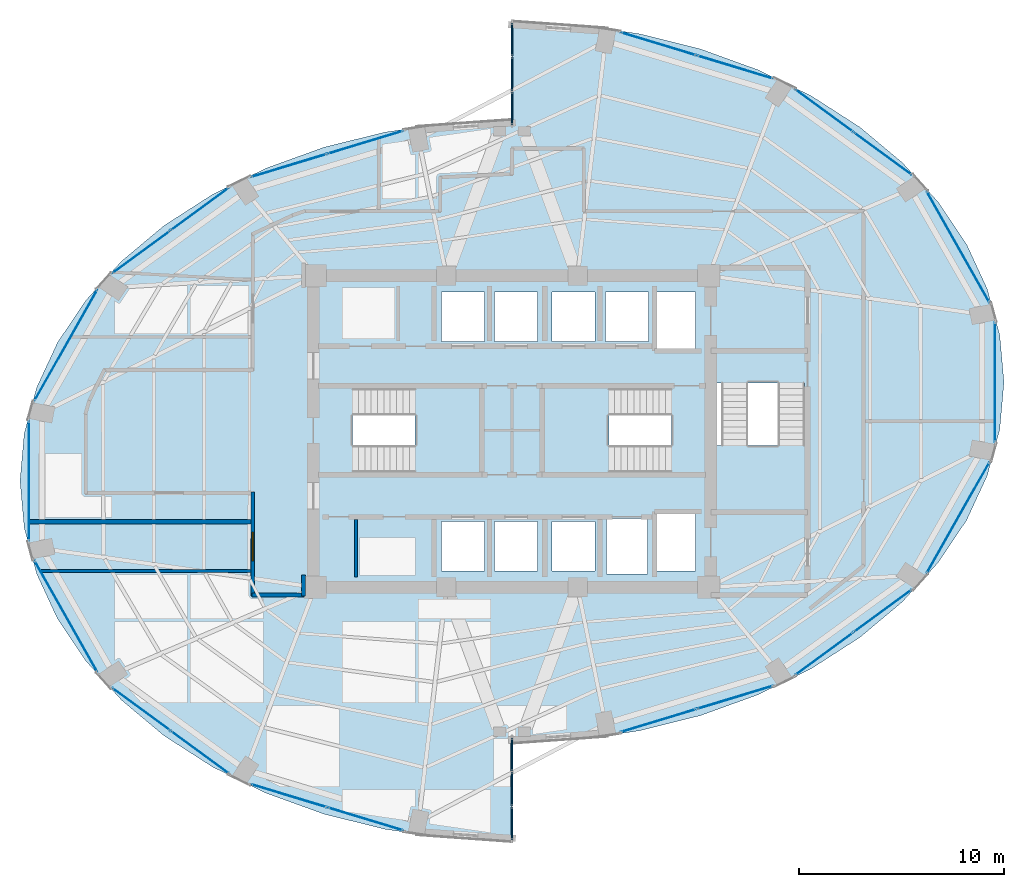
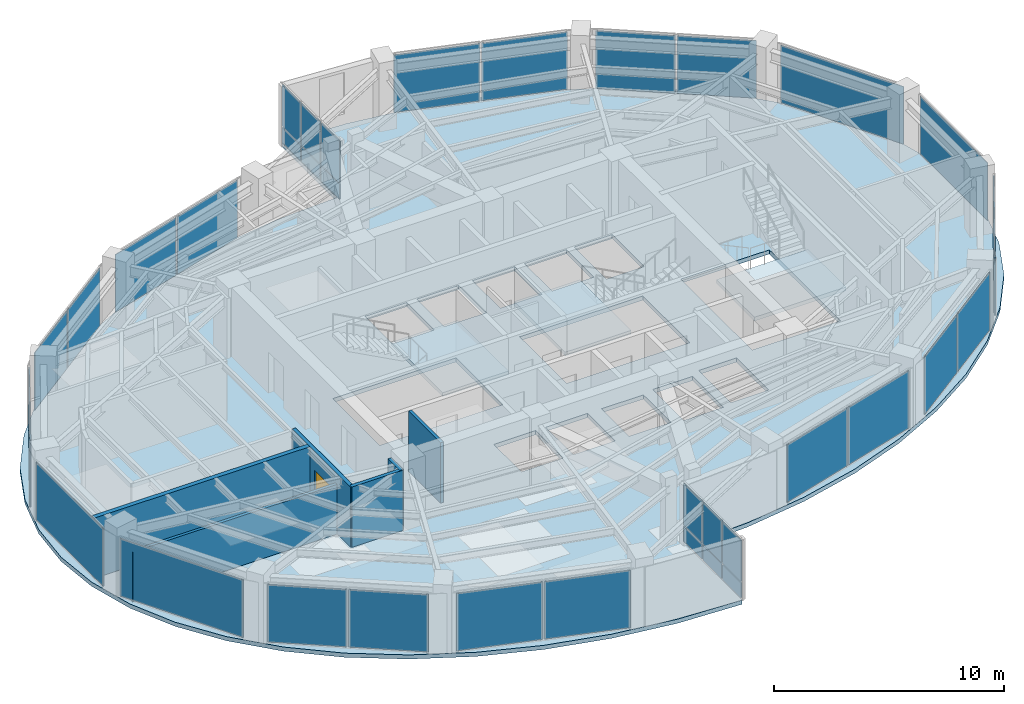
# One storey, part 15 of 20: 34 plates, 6 walls, 4 slabs, 1 door, 1 opening, 19 elements without a shape of their own.
"""IFC4 building model written with IfcOpenShell, lengths in metres."""

from ifc_helpers import new_model, si_unit, direction, frame, frame_2d, origin, origin_2d, place, context, subcontext, project, spatial, polyline, rectangle, outline, extrude, material, layer, layer_set, type_object, element, fill, aggregate, save


model = new_model("IFC4")

# Units and contexts
model_context = context("Model", 3, precision=1e-05, world=origin(), true_north=direction((0.0, 1.0)))
body_context = subcontext(model_context, "Body", "Model", "MODEL_VIEW")
ifc_project = project(units=[si_unit("LENGTHUNIT", "METRE"), si_unit("AREAUNIT", "SQUARE_METRE"), si_unit("VOLUMEUNIT", "CUBIC_METRE"), si_unit("PLANEANGLEUNIT", "RADIAN"), si_unit("MASSUNIT", "GRAM", prefix="KILO")], contexts=[model_context])

# Site, building, storey
site_placement = place(None, origin())
site = spatial("IfcSite", under=ifc_project, at=site_placement, CompositionType="ELEMENT")
building_placement = place(site_placement, origin())
building = spatial("IfcBuilding", under=site, at=building_placement, Name="Lazwardi Medical Tower", CompositionType="ELEMENT")
storey_placement = place(building_placement, frame((0.0, 0.0, 185.7119140625)))
storey = spatial("IfcBuildingStorey", under=building, at=storey_placement, Name="L48", CompositionType="ELEMENT", Elevation=185.7119140625)

# Curtain wall, plates
ifc_material_1 = material(Name="Anodised bronze aluminium and solar control glazing", Category="aluminium")
ifc_layer_1 = layer(ifc_material_1, 0.195068359375)
ifc_layer_set_1 = layer_set([ifc_layer_1], Name="Anodised bronze aluminium and solar control glazing")
curtain_wall_type_1 = type_object("IfcCurtainWallType", Name="CW-SYS-03", PredefinedType="NOTDEFINED", material=ifc_layer_set_1)
curtain_wall_1_placement = place(storey_placement, origin())
curtain_wall_1 = element("IfcCurtainWall", 1, at=curtain_wall_1_placement, inside=storey, type_object=curtain_wall_type_1, Name="L48 Unitised bronze curtain wall CW-03", PredefinedType="NOTDEFINED")
ifc_material_2 = material(Name="Low-e bronze solar control double glazing", Category="glass")
ifc_layer_2 = layer(ifc_material_2, 0.035888671875)
ifc_layer_set_2 = layer_set([ifc_layer_2], Name="Low-e bronze solar control double glazing")
plate_type_1 = type_object("IfcPlateType", Name="PLT-GLZ-01", PredefinedType="CURTAIN_PANEL", material=ifc_layer_set_2)
plate_1_placement = place(storey_placement, frame((43.1435546875, 13.8935546875, 0.0751953125), z_axis=(0.0, 0.0, 1.0), x_axis=(0.956941516292, 0.290280785441, 0.0)))
plate_1 = element("IfcPlate", 2, at=plate_1_placement, type_object=plate_type_1, Name="CW-03 panel 1.1", PredefinedType="CURTAIN_PANEL", context=body_context, shape_type="SweptSolid", body=[
    extrude(rectangle(XDim=3.83642578125, YDim=0.035888671875, at=origin_2d()), origin(), (0.0, 0.0, 1.0), 3.048095703125),
])
plate_2_placement = place(storey_placement, frame((46.88671875, 15.029052734375, 0.0751953125), z_axis=(0.0, 0.0, 1.0), x_axis=(0.956941516292, 0.290280785441, 0.0)))
plate_2 = element("IfcPlate", 3, at=plate_2_placement, type_object=plate_type_1, Name="CW-03 panel 2.1", PredefinedType="CURTAIN_PANEL", context=body_context, shape_type="SweptSolid", body=[
    extrude(rectangle(XDim=3.83642578125, YDim=0.035888671875, at=origin_2d()), origin(), (0.0, 0.0, 1.0), 3.048095703125),
])
aggregate(curtain_wall_1, [plate_1, plate_2])

curtain_wall_2_placement = place(storey_placement, origin())
curtain_wall_2 = element("IfcCurtainWall", 4, at=curtain_wall_2_placement, inside=storey, type_object=curtain_wall_type_1, Name="L48 Unitised bronze curtain wall CW-03", PredefinedType="NOTDEFINED")
plate_3_placement = place(storey_placement, frame((51.2265625, 17.153076171875, 0.0751953125), z_axis=(0.0, 0.0, 1.0), x_axis=(0.806793249082, 0.590833862635, 0.0)))
plate_3 = element("IfcPlate", 5, at=plate_3_placement, type_object=plate_type_1, Name="CW-03 panel 1.1", PredefinedType="CURTAIN_PANEL", context=body_context, shape_type="SweptSolid", body=[
    extrude(rectangle(XDim=3.472412109375, YDim=0.035888671875, at=origin_2d()), origin(), (0.0, 0.0, 1.0), 3.048095703125),
])
plate_4_placement = place(storey_placement, frame((54.088623046875, 19.2490234375, 0.0751953125), z_axis=(0.0, 0.0, 1.0), x_axis=(0.806793249082, 0.590833862635, 0.0)))
plate_4 = element("IfcPlate", 6, at=plate_4_placement, type_object=plate_type_1, Name="CW-03 panel 2.1", PredefinedType="CURTAIN_PANEL", context=body_context, shape_type="SweptSolid", body=[
    extrude(rectangle(XDim=3.472412109375, YDim=0.035888671875, at=origin_2d()), origin(), (0.0, 0.0, 1.0), 3.048095703125),
])
aggregate(curtain_wall_2, [plate_3, plate_4])

# Curtain wall, plate
curtain_wall_3_placement = place(storey_placement, origin())
curtain_wall_3 = element("IfcCurtainWall", 7, at=curtain_wall_3_placement, inside=storey, type_object=curtain_wall_type_1, Name="L48 Unitised bronze curtain wall CW-03", PredefinedType="NOTDEFINED")
plate_5_placement = place(storey_placement, frame((57.764404296875, 23.798095703125, 0.0751953125), z_axis=(0.0, 0.0, 1.0), x_axis=(0.492311672683, 0.870418989303, 0.0)))
plate_5 = element("IfcPlate", 8, at=plate_5_placement, type_object=plate_type_1, Name="CW-03 panel 1.1", PredefinedType="CURTAIN_PANEL", context=body_context, shape_type="SweptSolid", body=[
    extrude(rectangle(XDim=6.208740234375, YDim=0.035888671875, at=origin_2d()), origin(), (0.0, 0.0, 1.0), 3.048095703125),
])
aggregate(curtain_wall_3, [plate_5])

curtain_wall_4_placement = place(storey_placement, origin())
curtain_wall_4 = element("IfcCurtainWall", 9, at=curtain_wall_4_placement, inside=storey, type_object=curtain_wall_type_1, Name="L48 Unitised bronze curtain wall CW-03", PredefinedType="NOTDEFINED")
plate_6_placement = place(storey_placement, frame((59.5576171875, 30.39990234375, 0.0751953125), z_axis=(0.0, 0.0, 1.0), x_axis=(0.0, 1.0, 0.0)))
plate_6 = element("IfcPlate", 10, at=plate_6_placement, type_object=plate_type_1, Name="CW-03 panel 1.1", PredefinedType="CURTAIN_PANEL", context=body_context, shape_type="SweptSolid", body=[
    extrude(rectangle(XDim=5.8408203125, YDim=0.035888671875, at=origin_2d()), origin(), (0.0, 0.0, 1.0), 3.048095703125),
])
aggregate(curtain_wall_4, [plate_6])

curtain_wall_5_placement = place(storey_placement, origin())
curtain_wall_5 = element("IfcCurtainWall", 11, at=curtain_wall_5_placement, inside=storey, type_object=curtain_wall_type_1, Name="L48 Unitised bronze curtain wall CW-03", PredefinedType="NOTDEFINED")
plate_7_placement = place(storey_placement, frame((57.764404296875, 37.001953125, 0.0751953125), z_axis=(0.0, 0.0, 1.0), x_axis=(-0.492311672683, 0.870418989303, 0.0)))
plate_7 = element("IfcPlate", 12, at=plate_7_placement, type_object=plate_type_1, Name="CW-03 panel 1.1", PredefinedType="CURTAIN_PANEL", context=body_context, shape_type="SweptSolid", body=[
    extrude(rectangle(XDim=6.208740234375, YDim=0.035888671875, at=origin_2d()), origin(), (0.0, 0.0, 1.0), 3.048095703125),
])
aggregate(curtain_wall_5, [plate_7])

# Curtain wall, plates
curtain_wall_6_placement = place(storey_placement, origin())
curtain_wall_6 = element("IfcCurtainWall", 13, at=curtain_wall_6_placement, inside=storey, type_object=curtain_wall_type_1, Name="L48 Unitised bronze curtain wall CW-03", PredefinedType="NOTDEFINED")
plate_8_placement = place(storey_placement, frame((54.088623046875, 41.551025390625, 0.0751953125), z_axis=(0.0, 0.0, 1.0), x_axis=(-0.806793249082, 0.590833862635, 0.0)))
plate_8 = element("IfcPlate", 14, at=plate_8_placement, type_object=plate_type_1, Name="CW-03 panel 1.1", PredefinedType="CURTAIN_PANEL", context=body_context, shape_type="SweptSolid", body=[
    extrude(rectangle(XDim=3.472412109375, YDim=0.035888671875, at=origin_2d()), origin(), (0.0, 0.0, 1.0), 3.048095703125),
])
plate_9_placement = place(storey_placement, frame((51.2265625, 43.64697265625, 0.0751953125), z_axis=(0.0, 0.0, 1.0), x_axis=(-0.806793249082, 0.590833862635, 0.0)))
plate_9 = element("IfcPlate", 15, at=plate_9_placement, type_object=plate_type_1, Name="CW-03 panel 2.1", PredefinedType="CURTAIN_PANEL", context=body_context, shape_type="SweptSolid", body=[
    extrude(rectangle(XDim=3.472412109375, YDim=0.035888671875, at=origin_2d()), origin(), (0.0, 0.0, 1.0), 3.048095703125),
])
aggregate(curtain_wall_6, [plate_8, plate_9])

curtain_wall_7_placement = place(storey_placement, origin())
curtain_wall_7 = element("IfcCurtainWall", 16, at=curtain_wall_7_placement, inside=storey, type_object=curtain_wall_type_1, Name="L48 Unitised bronze curtain wall CW-03", PredefinedType="NOTDEFINED")
plate_10_placement = place(storey_placement, frame((46.88671875, 45.77099609375, 0.0751953125), z_axis=(0.0, 0.0, 1.0), x_axis=(-0.956941516292, 0.290280785441, 0.0)))
plate_10 = element("IfcPlate", 17, at=plate_10_placement, type_object=plate_type_1, Name="CW-03 panel 1.1", PredefinedType="CURTAIN_PANEL", context=body_context, shape_type="SweptSolid", body=[
    extrude(rectangle(XDim=3.83642578125, YDim=0.035888671875, at=origin_2d()), origin(), (0.0, 0.0, 1.0), 3.048095703125),
])
plate_11_placement = place(storey_placement, frame((43.1435546875, 46.906494140625, 0.0751953125), z_axis=(0.0, 0.0, 1.0), x_axis=(-0.956941516292, 0.290280785441, 0.0)))
plate_11 = element("IfcPlate", 18, at=plate_11_placement, type_object=plate_type_1, Name="CW-03 panel 2.1", PredefinedType="CURTAIN_PANEL", context=body_context, shape_type="SweptSolid", body=[
    extrude(rectangle(XDim=3.83642578125, YDim=0.035888671875, at=origin_2d()), origin(), (0.0, 0.0, 1.0), 3.048095703125),
])
aggregate(curtain_wall_7, [plate_10, plate_11])

curtain_wall_8_placement = place(storey_placement, origin())
curtain_wall_8 = element("IfcCurtainWall", 19, at=curtain_wall_8_placement, inside=storey, type_object=curtain_wall_type_1, Name="L48 Unitised bronze curtain wall CW-03", PredefinedType="NOTDEFINED")
plate_12_placement = place(storey_placement, frame((28.8564453125, 42.1064453125, 0.0751953125), z_axis=(0.0, 0.0, 1.0), x_axis=(-0.956941516292, -0.290280785441, 0.0)))
plate_12 = element("IfcPlate", 20, at=plate_12_placement, type_object=plate_type_1, Name="CW-03 panel 1.1", PredefinedType="CURTAIN_PANEL", context=body_context, shape_type="SweptSolid", body=[
    extrude(rectangle(XDim=3.83642578125, YDim=0.035888671875, at=origin_2d()), origin(), (0.0, 0.0, 1.0), 3.048095703125),
])
plate_13_placement = place(storey_placement, frame((25.11328125, 40.970947265625, 0.0751953125), z_axis=(0.0, 0.0, 1.0), x_axis=(-0.956941516292, -0.290280785441, 0.0)))
plate_13 = element("IfcPlate", 21, at=plate_13_placement, type_object=plate_type_1, Name="CW-03 panel 2.1", PredefinedType="CURTAIN_PANEL", context=body_context, shape_type="SweptSolid", body=[
    extrude(rectangle(XDim=3.83642578125, YDim=0.035888671875, at=origin_2d()), origin(), (0.0, 0.0, 1.0), 3.048095703125),
])
aggregate(curtain_wall_8, [plate_12, plate_13])

curtain_wall_9_placement = place(storey_placement, origin())
curtain_wall_9 = element("IfcCurtainWall", 22, at=curtain_wall_9_placement, inside=storey, type_object=curtain_wall_type_1, Name="L48 Unitised bronze curtain wall CW-03", PredefinedType="NOTDEFINED")
plate_14_placement = place(storey_placement, frame((20.7734375, 38.846923828125, 0.0751953125), z_axis=(0.0, 0.0, 1.0), x_axis=(-0.806793249082, -0.590833862635, 0.0)))
plate_14 = element("IfcPlate", 23, at=plate_14_placement, type_object=plate_type_1, Name="CW-03 panel 1.1", PredefinedType="CURTAIN_PANEL", context=body_context, shape_type="SweptSolid", body=[
    extrude(rectangle(XDim=3.472412109375, YDim=0.035888671875, at=origin_2d()), origin(), (0.0, 0.0, 1.0), 3.048095703125),
])
plate_15_placement = place(storey_placement, frame((17.911376953125, 36.7509765625, 0.0751953125), z_axis=(0.0, 0.0, 1.0), x_axis=(-0.806793249082, -0.590833862635, 0.0)))
plate_15 = element("IfcPlate", 24, at=plate_15_placement, type_object=plate_type_1, Name="CW-03 panel 2.1", PredefinedType="CURTAIN_PANEL", context=body_context, shape_type="SweptSolid", body=[
    extrude(rectangle(XDim=3.472412109375, YDim=0.035888671875, at=origin_2d()), origin(), (0.0, 0.0, 1.0), 3.048095703125),
])
aggregate(curtain_wall_9, [plate_14, plate_15])

# Curtain wall, plate
curtain_wall_10_placement = place(storey_placement, origin())
curtain_wall_10 = element("IfcCurtainWall", 25, at=curtain_wall_10_placement, inside=storey, type_object=curtain_wall_type_1, Name="L48 Unitised bronze curtain wall CW-03", PredefinedType="NOTDEFINED")
plate_16_placement = place(storey_placement, frame((14.235595703125, 32.201904296875, 0.0751953125), z_axis=(0.0, 0.0, 1.0), x_axis=(-0.492311672683, -0.870418989303, 0.0)))
plate_16 = element("IfcPlate", 26, at=plate_16_placement, type_object=plate_type_1, Name="CW-03 panel 1.1", PredefinedType="CURTAIN_PANEL", context=body_context, shape_type="SweptSolid", body=[
    extrude(rectangle(XDim=6.208740234375, YDim=0.035888671875, at=origin_2d()), origin(), (0.0, 0.0, 1.0), 3.048095703125),
])
aggregate(curtain_wall_10, [plate_16])

curtain_wall_11_placement = place(storey_placement, origin())
curtain_wall_11 = element("IfcCurtainWall", 27, at=curtain_wall_11_placement, inside=storey, type_object=curtain_wall_type_1, Name="L48 Unitised bronze curtain wall CW-03", PredefinedType="NOTDEFINED")
plate_17_placement = place(storey_placement, frame((12.4423828125, 25.60009765625, 0.0751953125), z_axis=(0.0, 0.0, 1.0), x_axis=(0.0, -1.0, 0.0)))
plate_17 = element("IfcPlate", 28, at=plate_17_placement, type_object=plate_type_1, Name="CW-03 panel 1.1", PredefinedType="CURTAIN_PANEL", context=body_context, shape_type="SweptSolid", body=[
    extrude(rectangle(XDim=5.8408203125, YDim=0.035888671875, at=origin_2d()), origin(), (0.0, 0.0, 1.0), 3.048095703125),
])
aggregate(curtain_wall_11, [plate_17])

curtain_wall_12_placement = place(storey_placement, origin())
curtain_wall_12 = element("IfcCurtainWall", 29, at=curtain_wall_12_placement, inside=storey, type_object=curtain_wall_type_1, Name="L48 Unitised bronze curtain wall CW-03", PredefinedType="NOTDEFINED")
plate_18_placement = place(storey_placement, frame((14.235595703125, 18.998046875, 0.0751953125), z_axis=(0.0, 0.0, 1.0), x_axis=(0.492311672683, -0.870418989303, 0.0)))
plate_18 = element("IfcPlate", 30, at=plate_18_placement, type_object=plate_type_1, Name="CW-03 panel 1.1", PredefinedType="CURTAIN_PANEL", context=body_context, shape_type="SweptSolid", body=[
    extrude(rectangle(XDim=6.208740234375, YDim=0.035888671875, at=origin_2d()), origin(), (0.0, 0.0, 1.0), 3.048095703125),
])
aggregate(curtain_wall_12, [plate_18])

# Curtain wall, plates
curtain_wall_13_placement = place(storey_placement, origin())
curtain_wall_13 = element("IfcCurtainWall", 31, at=curtain_wall_13_placement, inside=storey, type_object=curtain_wall_type_1, Name="L48 Unitised bronze curtain wall CW-03", PredefinedType="NOTDEFINED")
plate_19_placement = place(storey_placement, frame((17.911376953125, 14.448974609375, 0.0751953125), z_axis=(0.0, 0.0, 1.0), x_axis=(0.806793249082, -0.590833862635, 0.0)))
plate_19 = element("IfcPlate", 32, at=plate_19_placement, type_object=plate_type_1, Name="CW-03 panel 1.1", PredefinedType="CURTAIN_PANEL", context=body_context, shape_type="SweptSolid", body=[
    extrude(rectangle(XDim=3.472412109375, YDim=0.035888671875, at=origin_2d()), origin(), (0.0, 0.0, 1.0), 3.048095703125),
])
plate_20_placement = place(storey_placement, frame((20.7734375, 12.35302734375, 0.0751953125), z_axis=(0.0, 0.0, 1.0), x_axis=(0.806793249082, -0.590833862635, 0.0)))
plate_20 = element("IfcPlate", 33, at=plate_20_placement, type_object=plate_type_1, Name="CW-03 panel 2.1", PredefinedType="CURTAIN_PANEL", context=body_context, shape_type="SweptSolid", body=[
    extrude(rectangle(XDim=3.472412109375, YDim=0.035888671875, at=origin_2d()), origin(), (0.0, 0.0, 1.0), 3.048095703125),
])
aggregate(curtain_wall_13, [plate_19, plate_20])

curtain_wall_14_placement = place(storey_placement, origin())
curtain_wall_14 = element("IfcCurtainWall", 34, at=curtain_wall_14_placement, inside=storey, type_object=curtain_wall_type_1, Name="L48 Unitised bronze curtain wall CW-03", PredefinedType="NOTDEFINED")
plate_21_placement = place(storey_placement, frame((25.11328125, 10.22900390625, 0.0751953125), z_axis=(0.0, 0.0, 1.0), x_axis=(0.956941516292, -0.290280785441, 0.0)))
plate_21 = element("IfcPlate", 35, at=plate_21_placement, type_object=plate_type_1, Name="CW-03 panel 1.1", PredefinedType="CURTAIN_PANEL", context=body_context, shape_type="SweptSolid", body=[
    extrude(rectangle(XDim=3.83642578125, YDim=0.035888671875, at=origin_2d()), origin(), (0.0, 0.0, 1.0), 3.048095703125),
])
plate_22_placement = place(storey_placement, frame((28.8564453125, 9.093505859375, 0.0751953125), z_axis=(0.0, 0.0, 1.0), x_axis=(0.956941516292, -0.290280785441, 0.0)))
plate_22 = element("IfcPlate", 36, at=plate_22_placement, type_object=plate_type_1, Name="CW-03 panel 2.1", PredefinedType="CURTAIN_PANEL", context=body_context, shape_type="SweptSolid", body=[
    extrude(rectangle(XDim=3.83642578125, YDim=0.035888671875, at=origin_2d()), origin(), (0.0, 0.0, 1.0), 3.048095703125),
])
aggregate(curtain_wall_14, [plate_21, plate_22])

ifc_layer_3 = layer(ifc_material_1, 0.2099609375)
ifc_layer_set_3 = layer_set([ifc_layer_3], Name="Anodised bronze aluminium and solar control glazing")
curtain_wall_type_2 = type_object("IfcCurtainWallType", Name="CW-SYS-06", PredefinedType="NOTDEFINED", material=ifc_layer_set_3)
curtain_wall_15_placement = place(storey_placement, origin())
curtain_wall_15 = element("IfcCurtainWall", 37, at=curtain_wall_15_placement, inside=storey, type_object=curtain_wall_type_2, Name="L48 Unitised bronze curtain wall CW-06", PredefinedType="NOTDEFINED")
ifc_material_3 = material(Name="Turquoise glazed ceramic insulated panel", Category="glass")
ifc_layer_4 = layer(ifc_material_3, 0.053955078125)
ifc_layer_set_4 = layer_set([ifc_layer_4], Name="Turquoise glazed ceramic insulated panel")
plate_type_2 = type_object("IfcPlateType", Name="PLT-TRQ-01", PredefinedType="CURTAIN_PANEL", material=ifc_layer_set_4)
plate_23_placement = place(storey_placement, frame((36.0, 47.1279296875, 0.074951171875), z_axis=(0.0, 0.0, 1.0), x_axis=(0.0, -1.0, 0.0)))
plate_23 = element("IfcPlate", 38, at=plate_23_placement, type_object=plate_type_2, Name="CW-06 panel 1.1", PredefinedType="CURTAIN_PANEL", context=body_context, shape_type="SweptSolid", body=[
    extrude(rectangle(XDim=1.59423828125, YDim=0.053955078125, at=origin_2d()), origin(), (0.0, 0.0, 1.0), 0.78759765625),
])
plate_24_placement = place(storey_placement, frame((36.0, 47.1279296875, 0.9375), z_axis=(0.0, 0.0, 1.0), x_axis=(0.0, -1.0, 0.0)))
plate_24 = element("IfcPlate", 39, at=plate_24_placement, type_object=plate_type_2, Name="CW-06 panel 1.2", PredefinedType="CURTAIN_PANEL", context=body_context, shape_type="SweptSolid", body=[
    extrude(rectangle(XDim=1.59423828125, YDim=0.053955078125, at=origin_2d()), origin(), (0.0, 0.0, 1.0), 2.185546875),
])
plate_25_placement = place(storey_placement, frame((36.0, 45.43994140625, 0.074951171875), z_axis=(0.0, 0.0, 1.0), x_axis=(0.0, -1.0, 0.0)))
plate_25 = element("IfcPlate", 40, at=plate_25_placement, type_object=plate_type_2, Name="CW-06 panel 2.1", PredefinedType="CURTAIN_PANEL", context=body_context, shape_type="SweptSolid", body=[
    extrude(rectangle(XDim=1.631591796875, YDim=0.053955078125, at=origin_2d()), origin(), (0.0, 0.0, 1.0), 0.78759765625),
])
plate_26_placement = place(storey_placement, frame((36.0, 45.43994140625, 0.9375), z_axis=(0.0, 0.0, 1.0), x_axis=(0.0, -1.0, 0.0)))
plate_26 = element("IfcPlate", 41, at=plate_26_placement, type_object=plate_type_2, Name="CW-06 panel 2.2", PredefinedType="CURTAIN_PANEL", context=body_context, shape_type="SweptSolid", body=[
    extrude(rectangle(XDim=1.631591796875, YDim=0.053955078125, at=origin_2d()), origin(), (0.0, 0.0, 1.0), 2.185546875),
])
plate_27_placement = place(storey_placement, frame((36.0, 43.752197265625, 0.074951171875), z_axis=(0.0, 0.0, 1.0), x_axis=(0.0, -1.0, 0.0)))
plate_27 = element("IfcPlate", 42, at=plate_27_placement, type_object=plate_type_2, Name="CW-06 panel 3.1", PredefinedType="CURTAIN_PANEL", context=body_context, shape_type="SweptSolid", body=[
    extrude(rectangle(XDim=1.59423828125, YDim=0.053955078125, at=origin_2d()), origin(), (0.0, 0.0, 1.0), 0.78759765625),
])
plate_28_placement = place(storey_placement, frame((36.0, 43.752197265625, 0.9375), z_axis=(0.0, 0.0, 1.0), x_axis=(0.0, -1.0, 0.0)))
plate_28 = element("IfcPlate", 43, at=plate_28_placement, type_object=plate_type_2, Name="CW-06 panel 3.2", PredefinedType="CURTAIN_PANEL", context=body_context, shape_type="SweptSolid", body=[
    extrude(rectangle(XDim=1.59423828125, YDim=0.053955078125, at=origin_2d()), origin(), (0.0, 0.0, 1.0), 2.185546875),
])
aggregate(curtain_wall_15, [plate_23, plate_24, plate_25, plate_26, plate_27, plate_28])

curtain_wall_16_placement = place(storey_placement, origin())
curtain_wall_16 = element("IfcCurtainWall", 44, at=curtain_wall_16_placement, inside=storey, type_object=curtain_wall_type_2, Name="L48 Unitised bronze curtain wall CW-06", PredefinedType="NOTDEFINED")
plate_29_placement = place(storey_placement, frame((36.0, 8.8720703125, 0.074951171875), z_axis=(0.0, 0.0, 1.0), x_axis=(0.0, 1.0, 0.0)))
plate_29 = element("IfcPlate", 45, at=plate_29_placement, type_object=plate_type_2, Name="CW-06 panel 1.1", PredefinedType="CURTAIN_PANEL", context=body_context, shape_type="SweptSolid", body=[
    extrude(rectangle(XDim=1.59423828125, YDim=0.053955078125, at=origin_2d()), origin(), (0.0, 0.0, 1.0), 0.78759765625),
])
plate_30_placement = place(storey_placement, frame((36.0, 8.8720703125, 0.9375), z_axis=(0.0, 0.0, 1.0), x_axis=(0.0, 1.0, 0.0)))
plate_30 = element("IfcPlate", 46, at=plate_30_placement, type_object=plate_type_2, Name="CW-06 panel 1.2", PredefinedType="CURTAIN_PANEL", context=body_context, shape_type="SweptSolid", body=[
    extrude(rectangle(XDim=1.59423828125, YDim=0.053955078125, at=origin_2d()), origin(), (0.0, 0.0, 1.0), 2.185546875),
])
plate_31_placement = place(storey_placement, frame((36.0, 10.56005859375, 0.074951171875), z_axis=(0.0, 0.0, 1.0), x_axis=(0.0, 1.0, 0.0)))
plate_31 = element("IfcPlate", 47, at=plate_31_placement, type_object=plate_type_2, Name="CW-06 panel 2.1", PredefinedType="CURTAIN_PANEL", context=body_context, shape_type="SweptSolid", body=[
    extrude(rectangle(XDim=1.631591796875, YDim=0.053955078125, at=origin_2d()), origin(), (0.0, 0.0, 1.0), 0.78759765625),
])
plate_32_placement = place(storey_placement, frame((36.0, 10.56005859375, 0.9375), z_axis=(0.0, 0.0, 1.0), x_axis=(0.0, 1.0, 0.0)))
plate_32 = element("IfcPlate", 48, at=plate_32_placement, type_object=plate_type_2, Name="CW-06 panel 2.2", PredefinedType="CURTAIN_PANEL", context=body_context, shape_type="SweptSolid", body=[
    extrude(rectangle(XDim=1.631591796875, YDim=0.053955078125, at=origin_2d()), origin(), (0.0, 0.0, 1.0), 2.185546875),
])
plate_33_placement = place(storey_placement, frame((36.0, 12.247802734375, 0.074951171875), z_axis=(0.0, 0.0, 1.0), x_axis=(0.0, 1.0, 0.0)))
plate_33 = element("IfcPlate", 49, at=plate_33_placement, type_object=plate_type_2, Name="CW-06 panel 3.1", PredefinedType="CURTAIN_PANEL", context=body_context, shape_type="SweptSolid", body=[
    extrude(rectangle(XDim=1.59423828125, YDim=0.053955078125, at=origin_2d()), origin(), (0.0, 0.0, 1.0), 0.78759765625),
])
plate_34_placement = place(storey_placement, frame((36.0, 12.247802734375, 0.9375), z_axis=(0.0, 0.0, 1.0), x_axis=(0.0, 1.0, 0.0)))
plate_34 = element("IfcPlate", 50, at=plate_34_placement, type_object=plate_type_2, Name="CW-06 panel 3.2", PredefinedType="CURTAIN_PANEL", context=body_context, shape_type="SweptSolid", body=[
    extrude(rectangle(XDim=1.59423828125, YDim=0.053955078125, at=origin_2d()), origin(), (0.0, 0.0, 1.0), 2.185546875),
])
aggregate(curtain_wall_16, [plate_29, plate_30, plate_31, plate_32, plate_33, plate_34])

# Stair, slab
ifc_material_4 = material(Name="Concrete C45/55", Category="concrete")
stair_type = type_object("IfcStairType", Name="STR-WRD", PredefinedType="HALF_TURN_STAIR", material=ifc_material_4)
stair_1_placement = place(storey_placement, origin())
stair_1 = element("IfcStair", 51, at=stair_1_placement, inside=storey, type_object=stair_type, Name="L48 Protected Exit Stair ST1", PredefinedType="HALF_TURN_STAIR")
ifc_layer_5 = layer(ifc_material_4, 0.199951171875)
ifc_layer_set_5 = layer_set([ifc_layer_5], Name="Concrete C45/55")
slab_type_1 = type_object("IfcSlabType", Name="SLB-LND-190", PredefinedType="LANDING", material=ifc_layer_set_5)
slab_1_placement = place(storey_placement, frame((0.0, 0.0, 1.6240234375)))
slab_1 = element("IfcSlab", 52, at=slab_1_placement, type_object=slab_type_1, Name="ST1 landing 1", PredefinedType="LANDING", context=body_context, shape_type="SweptSolid", body=[
    extrude(outline(polyline([(31.27490234375, 25.840087890625), (34.580078125, 25.840087890625), (34.580078125, 30.280029296875), (31.27490234375, 30.280029296875), (31.27490234375, 25.840087890625)])), origin(), (0.0, 0.0, 1.0), 0.199951171875),
])
aggregate(stair_1, [slab_1])

stair_2_placement = place(storey_placement, origin())
stair_2 = element("IfcStair", 53, at=stair_2_placement, inside=storey, type_object=stair_type, Name="L48 Protected Exit Stair ST2", PredefinedType="HALF_TURN_STAIR")
slab_2_placement = place(storey_placement, frame((0.0, 0.0, 1.6240234375)))
slab_2 = element("IfcSlab", 54, at=slab_2_placement, type_object=slab_type_1, Name="ST2 landing 1", PredefinedType="LANDING", context=body_context, shape_type="SweptSolid", body=[
    extrude(outline(polyline([(40.72509765625, 30.280029296875), (37.419921875, 30.280029296875), (37.419921875, 25.840087890625), (40.72509765625, 25.840087890625), (40.72509765625, 30.280029296875)])), origin(), (0.0, 0.0, 1.0), 0.199951171875),
])
aggregate(stair_2, [slab_2])

stair_3_placement = place(storey_placement, origin())
stair_3 = element("IfcStair", 55, at=stair_3_placement, inside=storey, type_object=stair_type, Name="L48 Protected Exit Stair ST3", PredefinedType="HALF_TURN_STAIR")
slab_3_placement = place(storey_placement, frame((0.0, 0.0, 1.6240234375)))
slab_3 = element("IfcSlab", 56, at=slab_3_placement, type_object=slab_type_1, Name="ST3 landing 1", PredefinedType="LANDING", context=body_context, shape_type="SweptSolid", body=[
    extrude(outline(polyline([(45.860107421875, 27.324951171875), (45.860107421875, 24.02001953125), (50.4599609375, 24.02001953125), (50.4599609375, 27.324951171875), (45.860107421875, 27.324951171875)])), origin(), (0.0, 0.0, 1.0), 0.199951171875),
])
aggregate(stair_3, [slab_3])

# Slab
ifc_material_5 = material(Name="Concrete C50/60", Category="concrete")
ifc_layer_6 = layer(ifc_material_5, 0.219970703125)
ifc_layer_set_6 = layer_set([ifc_layer_6], Name="Concrete C50/60")
slab_type_2 = type_object("IfcSlabType", Name="SLB-WRD-220", PredefinedType="FLOOR", material=ifc_layer_set_6)
slab_4_placement = place(storey_placement, frame((0.0, 0.0, -0.219970703125)))
element("IfcSlab", 57, at=slab_4_placement, inside=storey, type_object=slab_type_2, Name="Structural floor slab SF-03 L48", PredefinedType="FLOOR", context=body_context, shape_type="SweptSolid", body=[
    extrude(outline(polyline([(12.205322265625, 23.302734375), (12.81787109375, 21.044921875), (13.826904296875, 18.86474609375), (15.21533203125, 16.800048828125), (16.95947265625, 14.8857421875), (19.029296875, 13.15478515625), (21.3896484375, 11.636962890625), (24.0, 10.35791015625), (26.815673828125, 9.339599609375), (29.788330078125, 8.599609375), (32.867431640625, 8.150634765625), (36.0, 8.0), (36.0, 12.800048828125), (39.132568359375, 12.95068359375), (42.211669921875, 13.399658203125), (45.184326171875, 14.1396484375), (48.0, 15.157958984375), (50.6103515625, 16.43701171875), (52.970703125, 17.954833984375), (55.04052734375, 19.685791015625), (56.78466796875, 21.60009765625), (58.173095703125, 23.664794921875), (59.18212890625, 25.8447265625), (59.794677734375, 28.102783203125), (60.0, 30.39990234375), (59.794677734375, 32.697265625), (59.18212890625, 34.955078125), (58.173095703125, 37.13525390625), (56.78466796875, 39.199951171875), (55.04052734375, 41.1142578125), (52.970703125, 42.84521484375), (50.6103515625, 44.363037109375), (48.0, 45.64208984375), (45.184326171875, 46.660400390625), (42.211669921875, 47.400390625), (39.132568359375, 47.849365234375), (36.0, 48.0), (36.0, 43.199951171875), (32.867431640625, 43.04931640625), (29.788330078125, 42.600341796875), (26.815673828125, 41.8603515625), (24.0, 40.842041015625), (21.3896484375, 39.56298828125), (19.029296875, 38.045166015625), (16.95947265625, 36.314208984375), (15.21533203125, 34.39990234375), (13.826904296875, 32.335205078125), (12.81787109375, 30.1552734375), (12.205322265625, 27.897216796875), (12.0, 25.60009765625), (12.205322265625, 23.302734375)]), holes=[polyline([(28.22509765625, 26.02001953125), (28.22509765625, 30.10009765625), (34.39990234375, 30.10009765625), (34.39990234375, 26.02001953125), (28.22509765625, 26.02001953125)]), polyline([(37.60009765625, 30.10009765625), (43.77490234375, 30.10009765625), (43.77490234375, 26.02001953125), (37.60009765625, 26.02001953125), (37.60009765625, 30.10009765625)]), polyline([(50.280029296875, 30.375), (50.280029296875, 24.179931640625), (45.840087890625, 24.179931640625), (45.840087890625, 30.375), (50.280029296875, 30.375)]), polyline([(34.64990234375, 32.39990234375), (32.550048828125, 32.39990234375), (32.550048828125, 34.800048828125), (34.64990234375, 34.800048828125), (34.64990234375, 32.39990234375)]), polyline([(35.14990234375, 32.39990234375), (35.14990234375, 34.800048828125), (37.25, 34.800048828125), (37.25, 32.39990234375), (35.14990234375, 32.39990234375)]), polyline([(32.550048828125, 23.60009765625), (34.64990234375, 23.60009765625), (34.64990234375, 21.199951171875), (32.550048828125, 21.199951171875), (32.550048828125, 23.60009765625)]), polyline([(37.25, 23.60009765625), (37.25, 21.199951171875), (35.14990234375, 21.199951171875), (35.14990234375, 23.60009765625), (37.25, 23.60009765625)]), polyline([(40.050048828125, 32.39990234375), (37.949951171875, 32.39990234375), (37.949951171875, 34.800048828125), (40.050048828125, 34.800048828125), (40.050048828125, 32.39990234375)]), polyline([(40.550048828125, 32.39990234375), (40.550048828125, 34.800048828125), (42.64990234375, 34.800048828125), (42.64990234375, 32.39990234375), (40.550048828125, 32.39990234375)]), polyline([(37.949951171875, 23.60009765625), (40.050048828125, 23.60009765625), (40.050048828125, 21.199951171875), (37.949951171875, 21.199951171875), (37.949951171875, 23.60009765625)]), polyline([(44.949951171875, 34.800048828125), (44.949951171875, 32.0), (43.050048828125, 32.0), (43.050048828125, 34.800048828125), (44.949951171875, 34.800048828125)]), polyline([(44.949951171875, 21.199951171875), (43.050048828125, 21.199951171875), (43.050048828125, 24.0), (44.949951171875, 24.0), (44.949951171875, 21.199951171875)]), polyline([(40.60009765625, 21.050048828125), (40.60009765625, 23.75), (42.60009765625, 23.75), (42.60009765625, 21.050048828125), (40.60009765625, 21.050048828125)])]), origin(), (0.0, 0.0, 1.0), 0.219970703125),
])

# Walls
ifc_material_6 = material(Name="Fire-rated gypsum board on steel stud", Category="steel")
ifc_layer_7 = layer(ifc_material_6, 0.179931640625)
ifc_layer_set_7 = layer_set([ifc_layer_7], Name="Fire-rated gypsum board on steel stud")
wall_type_1 = type_object("IfcWallType", Name="WL-COR-180", PredefinedType="PARTITIONING", material=ifc_layer_set_7)
wall_1_placement = place(storey_placement, frame((25.830078125, 21.010009765625, 0.0), z_axis=(0.0, 0.0, 1.0), x_axis=(0.0, -1.0, 0.0)))
element("IfcWall", 58, at=wall_1_placement, inside=storey, type_object=wall_type_1, Name="L48 Corridor partition 16", PredefinedType="PARTITIONING", context=body_context, shape_type="SweptSolid", body=[
    extrude(rectangle(XDim=1.030029296875, YDim=0.179931640625, at=frame_2d((0.51513671875, 0.0))), origin(), (0.0, 0.0, 1.0), 3.197998046875),
])
wall_2_placement = place(storey_placement, frame((25.8701171875, 20.02001953125, 0.0), z_axis=(0.0, 0.0, 1.0), x_axis=(-1.0, 0.0, 0.0)))
element("IfcWall", 59, at=wall_2_placement, inside=storey, type_object=wall_type_1, Name="L48 Corridor partition 17", PredefinedType="PARTITIONING", context=body_context, shape_type="SweptSolid", body=[
    extrude(rectangle(XDim=2.56005859375, YDim=0.179931640625, at=frame_2d((1.280029296875, 0.0))), origin(), (0.0, 0.0, 1.0), 3.197998046875),
])

# Wall, opening, door
wall_3_placement = place(storey_placement, frame((23.35009765625, 19.97998046875, 0.0), z_axis=(0.0, 0.0, 1.0), x_axis=(0.0, 1.0, 0.0)))
wall_3 = element("IfcWall", 60, at=wall_3_placement, inside=storey, type_object=wall_type_1, Name="L48 Corridor partition 18", PredefinedType="PARTITIONING", context=body_context, shape_type="SweptSolid", body=[
    extrude(rectangle(XDim=5.06005859375, YDim=0.179931640625, at=frame_2d((2.530029296875, 0.0))), origin(), (0.0, 0.0, 1.0), 3.197998046875),
])
opening_placement = place(wall_3_placement, frame((1.702392578125, 0.0, 0.0)))
opening = element("IfcOpeningElement", 61, at=opening_placement, cuts=wall_3, Name="Opening D-L48-013", PredefinedType="OPENING", context=body_context, shape_type="SweptSolid", body=[
    extrude(rectangle(XDim=1.39990234375, YDim=2.199951171875, at=frame_2d((0.699951171875, 1.10009765625))), frame((0.0, 0.099853515625, 0.0), z_axis=(0.0, -1.0, 0.0), x_axis=(1.0, 0.0, 0.0)), (0.0, 0.0, 1.0), 0.199951171875),
])
ifc_material_7 = material(Name="Anti-microbial laminate hospital leaf")
door_type = type_object("IfcDoorType", Name="DR-BED-1400", OperationType="NOTDEFINED", PredefinedType="DOOR", material=ifc_material_7)
door_placement = place(opening_placement, origin())
door = element("IfcDoor", 62, at=door_placement, inside=storey, type_object=door_type, Name="L48 Sky Lobby Door 01", OperationType="SINGLE_SWING_LEFT", OverallHeight=2.199951171875, OverallWidth=1.39990234375, PredefinedType="DOOR", context=body_context, shape_type="SweptSolid", body=[
    extrude(rectangle(XDim=1.39990234375, YDim=2.199951171875, at=frame_2d((0.699951171875, 1.10009765625))), frame((0.0, 0.02490234375, 0.0), z_axis=(0.0, -1.0, 0.0), x_axis=(1.0, 0.0, 0.0)), (0.0, 0.0, 1.0), 0.050048828125),
])
fill(opening, door)

# Walls
ifc_layer_8 = layer(ifc_material_6, 0.219970703125)
ifc_layer_set_8 = layer_set([ifc_layer_8], Name="Fire-rated gypsum board on steel stud")
wall_type_2 = type_object("IfcWallType", Name="WL-SMK-220", PredefinedType="PARTITIONING", material=ifc_layer_set_8)
wall_4_placement = place(storey_placement, frame((12.452880859375, 23.60009765625, 0.0), z_axis=(0.0, 0.0, 1.0), x_axis=(1.0, 0.0, 0.0)))
element("IfcWall", 63, at=wall_4_placement, inside=storey, type_object=wall_type_2, Name="L48 Room partition 2", PredefinedType="PARTITIONING", context=body_context, shape_type="SweptSolid", body=[
    extrude(rectangle(XDim=10.80712890625, YDim=0.219970703125, at=frame_2d((5.403564453125, 0.0))), origin(), (0.0, 0.0, 1.0), 3.197998046875),
])
ifc_material_8 = material(Name="Acoustic gypsum board partition")
ifc_layer_9 = layer(ifc_material_8, 0.14990234375)
ifc_layer_set_9 = layer_set([ifc_layer_9], Name="Acoustic gypsum board partition")
wall_type_3 = type_object("IfcWallType", Name="WL-WRD-150", PredefinedType="PARTITIONING", material=ifc_layer_set_9)
wall_5_placement = place(storey_placement, frame((28.39990234375, 20.89990234375, 0.0), z_axis=(0.0, 0.0, 1.0), x_axis=(0.0, 1.0, 0.0)))
element("IfcWall", 64, at=wall_5_placement, inside=storey, type_object=wall_type_3, Name="L48 Freed bay S split 2", PredefinedType="PARTITIONING", context=body_context, shape_type="SweptSolid", body=[
    extrude(rectangle(XDim=2.800048828125, YDim=0.14990234375, at=frame_2d((1.39990234375, 0.0))), origin(), (0.0, 0.0, 1.0), 3.197998046875),
])
wall_6_placement = place(storey_placement, frame((12.99853515625, 21.199951171875, 0.0), z_axis=(0.0, 0.0, 1.0), x_axis=(1.0, 0.0, 0.0)))
element("IfcWall", 65, at=wall_6_placement, inside=storey, type_object=wall_type_3, Name="L48 Room partition 1", PredefinedType="PARTITIONING", context=body_context, shape_type="SweptSolid", body=[
    extrude(rectangle(XDim=10.261474609375, YDim=0.14990234375, at=frame_2d((5.130859375, 0.0))), origin(), (0.0, 0.0, 1.0), 2.633056640625),
])

save(model, "model.ifc")
